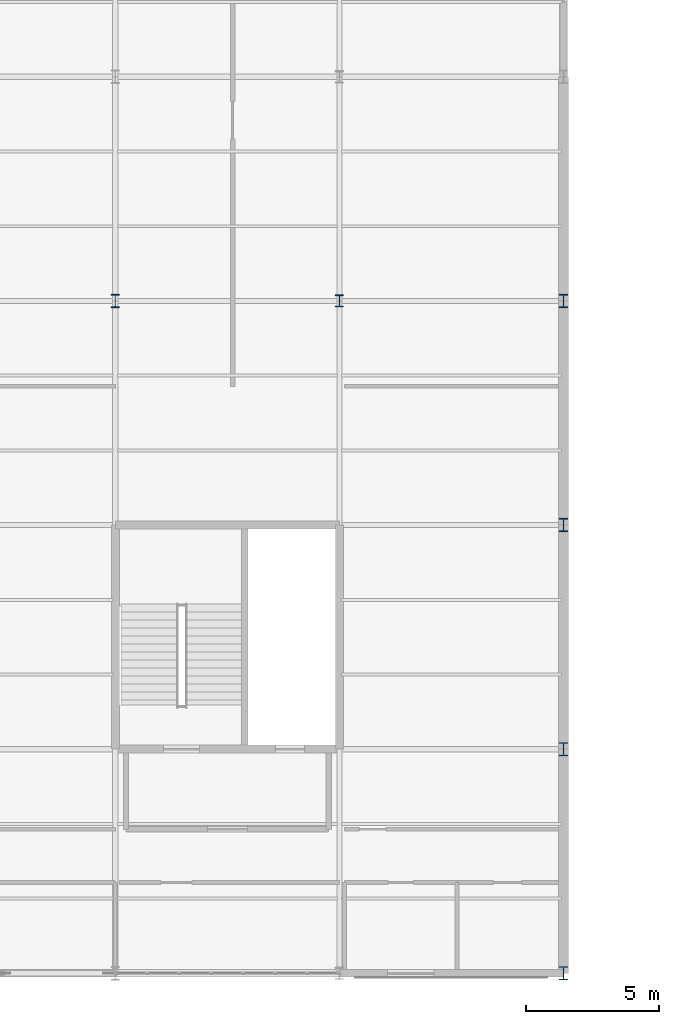
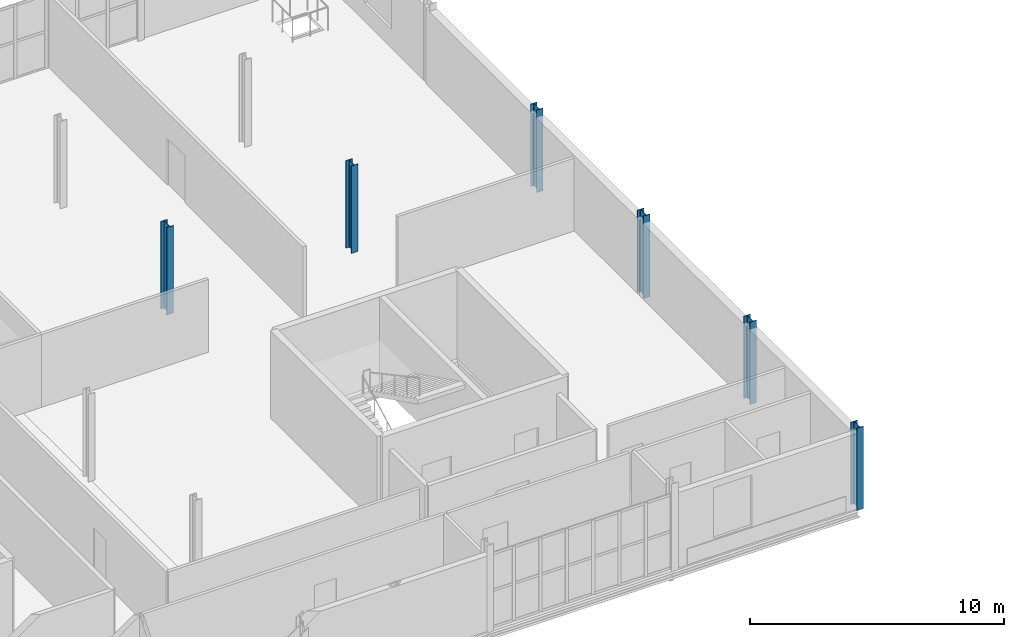
# One storey, part 2 of 65: 6 columns.
"""IFC4 building model written with IfcOpenShell, lengths in metres."""

from ifc_helpers import new_model, si_unit, direction, frame, origin, origin_2d, place, context, subcontext, project, spatial, i_section, extrude, material, material_profile, profile_set, type_object, element, save


model = new_model("IFC4")

# Units and contexts
model_context = context("Model", 3, precision=1e-05, world=origin(), true_north=direction((0.0, 1.0)))
body_context = subcontext(model_context, "Body", "Model", "MODEL_VIEW")
ifc_project = project(units=[si_unit("LENGTHUNIT", "METRE"), si_unit("AREAUNIT", "SQUARE_METRE"), si_unit("VOLUMEUNIT", "CUBIC_METRE"), si_unit("PLANEANGLEUNIT", "RADIAN"), si_unit("MASSUNIT", "GRAM", prefix="KILO")], contexts=[model_context])

# Site, building, storey
site_placement = place(None, origin())
site = spatial("IfcSite", under=ifc_project, at=site_placement, CompositionType="ELEMENT")
building_placement = place(site_placement, origin())
building = spatial("IfcBuilding", under=site, at=building_placement, Name="Qalvenar Corner Mobility Hub", CompositionType="ELEMENT")
storey_placement = place(building_placement, frame((0.0, 0.0, 17.39990234375)))
storey = spatial("IfcBuildingStorey", under=building, at=storey_placement, Name="L04", CompositionType="ELEMENT", Elevation=17.39990234375)

# Columns
ifc_material = material(Name="Steel S355", Category="steel")
ifc_material_profile_1 = material_profile(ifc_material, i_section(OverallWidth=0.300048828125, OverallDepth=0.449951171875, WebThickness=0.013916015625, FlangeThickness=0.02587890625, FilletRadius=0.027099609375, at=origin_2d()), Name="HEB450")
ifc_profile_set_1 = profile_set([ifc_material_profile_1], Name="Steel S355")
column_type_1 = type_object("IfcColumnType", Name="COL-HEB450", PredefinedType="COLUMN", material=ifc_profile_set_1)
column_1_placement = place(storey_placement, frame((42.0, 25.199951171875, 0.0), z_axis=(0.0, 0.0, 1.0), x_axis=(1.0, 0.0, 0.0)))
element("IfcColumn", 1, at=column_1_placement, inside=storey, type_object=column_type_1, Name="Steel Column L04-G6-3", PredefinedType="COLUMN", context=body_context, shape_type="SweptSolid", body=[
    extrude(i_section(OverallWidth=0.300048828125, OverallDepth=0.449951171875, WebThickness=0.013916015625, FlangeThickness=0.02587890625, FilletRadius=0.027099609375, at=origin_2d()), origin(), (0.0, 0.0, 1.0), 4.2001953125),
])
ifc_material_profile_2 = material_profile(ifc_material, i_section(OverallWidth=0.300048828125, OverallDepth=0.5, WebThickness=0.014404296875, FlangeThickness=0.028076171875, FilletRadius=0.027099609375, at=origin_2d()), Name="HEB500")
ifc_profile_set_2 = profile_set([ifc_material_profile_2], Name="Steel S355")
column_type_2 = type_object("IfcColumnType", Name="COL-HEB500", PredefinedType="COLUMN", material=ifc_profile_set_2)
column_2_placement = place(storey_placement, frame((33.60009765625, 25.199951171875, 0.0), z_axis=(0.0, 0.0, 1.0), x_axis=(1.0, 0.0, 0.0)))
element("IfcColumn", 2, at=column_2_placement, inside=storey, type_object=column_type_2, Name="Steel Column L04-G5-3", PredefinedType="COLUMN", context=body_context, shape_type="SweptSolid", body=[
    extrude(i_section(OverallWidth=0.300048828125, OverallDepth=0.5, WebThickness=0.014404296875, FlangeThickness=0.028076171875, FilletRadius=0.027099609375, at=origin_2d()), origin(), (0.0, 0.0, 1.0), 4.2001953125),
])
for number, where, z_axis, x_axis, name in (
    (3, (50.39990234375, 0.0, 0.0), (0.0, 0.0, 1.0), (1.0, 0.0, 0.0), "Steel Column L04-G7-0"),
    (4, (50.39990234375, 8.39990234375, 0.0), (0.0, 0.0, 1.0), (1.0, 0.0, 0.0), "Steel Column L04-G7-1"),
    (5, (50.39990234375, 16.800048828125, 0.0), (0.0, 0.0, 1.0), (1.0, 0.0, 0.0), "Steel Column L04-G7-2"),
    (6, (50.39990234375, 25.199951171875, 0.0), (0.0, 0.0, 1.0), (1.0, 0.0, 0.0), "Steel Column L04-G7-3"),
):
    element("IfcColumn", number, at=place(storey_placement, frame(where, z_axis=z_axis, x_axis=x_axis)), inside=storey, type_object=column_type_2, Name=name, PredefinedType="COLUMN", context=body_context, shape_type="SweptSolid", body=[
        extrude(i_section(OverallWidth=0.300048828125, OverallDepth=0.5, WebThickness=0.014404296875, FlangeThickness=0.028076171875, FilletRadius=0.027099609375, at=origin_2d()), origin(), (0.0, 0.0, 1.0), 3.9580078125),
    ])

save(model, "model.ifc")
